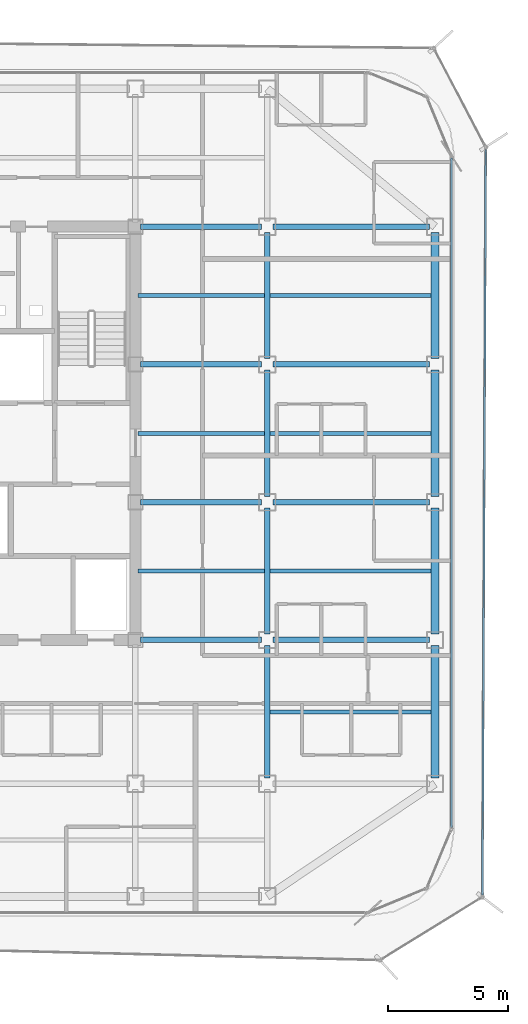
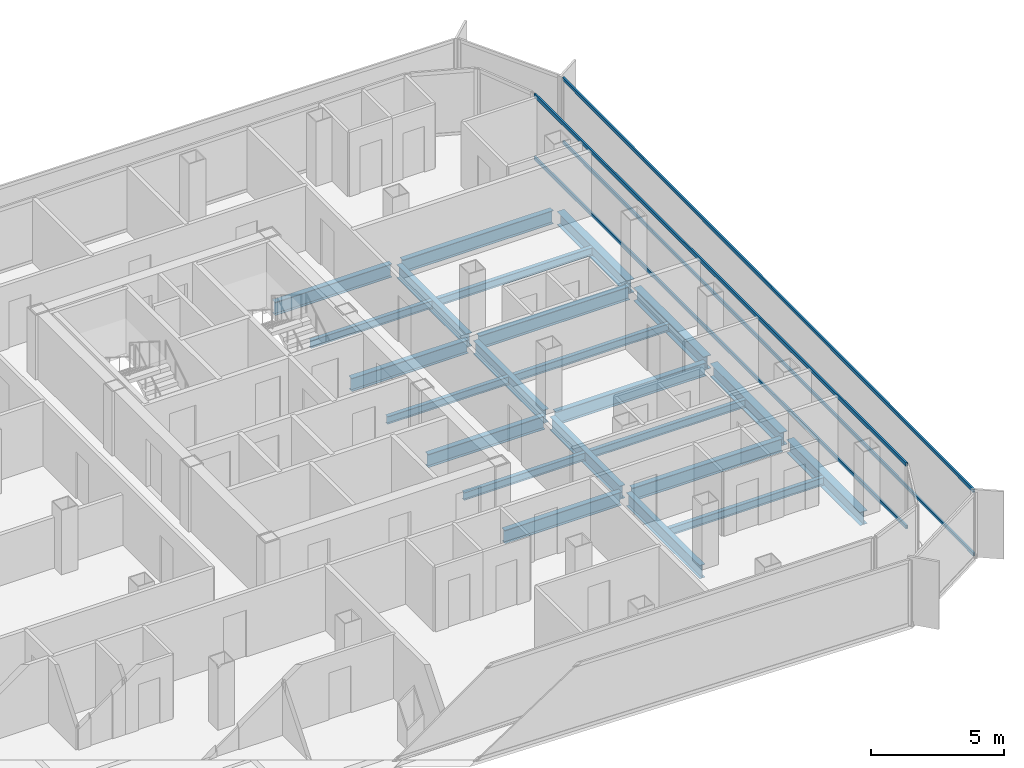
# One storey, part 5 of 15: 23 beams, 4 members, 2 elements without a shape of their own.
"""IFC4 building model written with IfcOpenShell, lengths in metres."""

from ifc_helpers import new_model, si_unit, direction, frame, origin, origin_2d, place, context, subcontext, project, spatial, hollow_rectangle, i_section, extrude, source, transform, mapped, material, layer, layer_set, material_profile, profile_set, type_object, element, aggregate, save


model = new_model("IFC4")

# Units and contexts
model_context = context("Model", 3, precision=1e-05, world=origin(), true_north=direction((0.0, 1.0)))
body_context = subcontext(model_context, "Body", "Model", "MODEL_VIEW")
ifc_project = project(units=[si_unit("LENGTHUNIT", "METRE"), si_unit("AREAUNIT", "SQUARE_METRE"), si_unit("VOLUMEUNIT", "CUBIC_METRE"), si_unit("PLANEANGLEUNIT", "RADIAN"), si_unit("MASSUNIT", "GRAM", prefix="KILO")], contexts=[model_context])

# Site, building, storey
site_placement = place(None, origin())
site = spatial("IfcSite", under=ifc_project, at=site_placement, CompositionType="ELEMENT")
building_placement = place(site_placement, origin())
building = spatial("IfcBuilding", under=site, at=building_placement, Name="Kolveth Station Tower", CompositionType="ELEMENT")
storey_placement = place(building_placement, frame((0.0, 0.0, 199.60009765625)))
storey = spatial("IfcBuildingStorey", under=building, at=storey_placement, Name="L56", CompositionType="ELEMENT", Elevation=199.60009765625)

# Beams
ifc_material_1 = material(Name="Steel S355", Category="steel")
ifc_material_profile_1 = material_profile(ifc_material_1, i_section(OverallWidth=0.323974609375, OverallDepth=0.611083984375, WebThickness=0.0126953125, FlangeThickness=0.01904296875, at=origin_2d()), Name="W610x155")
ifc_profile_set_1 = profile_set([ifc_material_profile_1], Name="Steel S355")
beam_type_1 = type_object("IfcBeamType", Name="Beam_SP2", PredefinedType="SPANDREL", material=ifc_profile_set_1)
shared_shape_1 = source(origin(), body_context, "Body", "SweptSolid", [
    extrude(i_section(OverallWidth=0.323974609375, OverallDepth=0.611083984375, WebThickness=0.0126953125, FlangeThickness=0.01904296875, at=origin_2d()), origin(), (0.0, 0.0, 1.0), 5.52001953125),
])
beam_1_placement = place(storey_placement, frame((41.0, 5.739990234375, -0.5556640625), z_axis=(0.0, 1.0, 0.0), x_axis=(-1.0, 0.0, 0.0)))
element("IfcBeam", 1, at=beam_1_placement, inside=storey, type_object=beam_type_1, Name="L56 Perimeter Spandrel BM-L56-PE-1", PredefinedType="SPANDREL", context=body_context, shape_type="MappedRepresentation", body=[
    mapped(shared_shape_1, transform((0.0, 0.0, 0.0), x_axis=(1.0, 0.0, 0.0), y_axis=(0.0, 1.0, 0.0), z_axis=(0.0, 0.0, 1.0), scale=1.0)),
])
shared_shape_2 = source(origin(), body_context, "Body", "SweptSolid", [
    extrude(i_section(OverallWidth=0.323974609375, OverallDepth=0.611083984375, WebThickness=0.0126953125, FlangeThickness=0.01904296875, at=origin_2d()), origin(), (0.0, 0.0, 1.0), 5.27001953125),
])
for number, where, z_axis, x_axis, name in (
    (2, (41.0, 11.739990234375, -0.5556640625), (0.0, 1.0, 0.0), (-1.0, 0.0, 0.0), "L56 Perimeter Spandrel BM-L56-PE-2"),
    (3, (41.0, 17.489990234375, -0.5556640625), (0.0, 1.0, 0.0), (-1.0, 0.0, 0.0), "L56 Perimeter Spandrel BM-L56-PE-3"),
    (4, (41.0, 23.239990234375, -0.5556640625), (0.0, 1.0, 0.0), (-1.0, 0.0, 0.0), "L56 Perimeter Spandrel BM-L56-PE-4"),
):
    element("IfcBeam", number, at=place(storey_placement, frame(where, z_axis=z_axis, x_axis=x_axis)), inside=storey, type_object=beam_type_1, Name=name, PredefinedType="SPANDREL", context=body_context, shape_type="MappedRepresentation", body=[
        mapped(shared_shape_2, transform((0.0, 0.0, 0.0), x_axis=(1.0, 0.0, 0.0), y_axis=(0.0, 1.0, 0.0), z_axis=(0.0, 0.0, 1.0), scale=1.0)),
    ])
ifc_material_profile_2 = material_profile(ifc_material_1, i_section(OverallWidth=0.22900390625, OverallDepth=0.612060546875, WebThickness=0.011962890625, FlangeThickness=0.01953125, at=origin_2d()), Name="W610x125")
ifc_profile_set_2 = profile_set([ifc_material_profile_2], Name="Steel S355")
beam_type_2 = type_object("IfcBeamType", Name="Beam_B5", PredefinedType="BEAM", material=ifc_profile_set_2)
shared_shape_3 = source(origin(), body_context, "Body", "SweptSolid", [
    extrude(i_section(OverallWidth=0.22900390625, OverallDepth=0.612060546875, WebThickness=0.011962890625, FlangeThickness=0.01953125, at=origin_2d()), origin(), (0.0, 0.0, 1.0), 6.52001953125),
])
for number, where, z_axis, x_axis, name in (
    (5, (34.239990234375, 11.5, -0.55615234375), (1.0, 0.0, 0.0), (0.0, 1.0, 0.0), "L56 Primary Girder BM-L56-GY115-6"),
    (6, (34.239990234375, 17.25, -0.55615234375), (1.0, 0.0, 0.0), (0.0, 1.0, 0.0), "L56 Primary Girder BM-L56-GY172-6"),
    (7, (34.239990234375, 23.0, -0.55615234375), (1.0, 0.0, 0.0), (0.0, 1.0, 0.0), "L56 Primary Girder BM-L56-GY230-6"),
    (8, (34.239990234375, 28.75, -0.55615234375), (1.0, 0.0, 0.0), (0.0, 1.0, 0.0), "L56 Primary Girder BM-L56-GY287-6"),
):
    element("IfcBeam", number, at=place(storey_placement, frame(where, z_axis=z_axis, x_axis=x_axis)), inside=storey, type_object=beam_type_2, Name=name, PredefinedType="BEAM", context=body_context, shape_type="MappedRepresentation", body=[
        mapped(shared_shape_3, transform((0.0, 0.0, 0.0), x_axis=(1.0, 0.0, 0.0), y_axis=(0.0, 1.0, 0.0), z_axis=(0.0, 0.0, 1.0), scale=1.0)),
    ])
shared_shape_4 = source(origin(), body_context, "Body", "SweptSolid", [
    extrude(i_section(OverallWidth=0.22900390625, OverallDepth=0.612060546875, WebThickness=0.011962890625, FlangeThickness=0.01953125, at=origin_2d()), origin(), (0.0, 0.0, 1.0), 5.06005859375),
])
for number, where, z_axis, x_axis, name in (
    (9, (28.699951171875, 11.5, -0.55615234375), (1.0, 0.0, 0.0), (0.0, 1.0, 0.0), "L56 Primary Girder BM-L56-GY115-5"),
    (10, (28.699951171875, 17.25, -0.55615234375), (1.0, 0.0, 0.0), (0.0, 1.0, 0.0), "L56 Primary Girder BM-L56-GY172-5"),
    (11, (28.699951171875, 23.0, -0.55615234375), (1.0, 0.0, 0.0), (0.0, 1.0, 0.0), "L56 Primary Girder BM-L56-GY230-5"),
    (12, (28.699951171875, 28.75, -0.55615234375), (1.0, 0.0, 0.0), (0.0, 1.0, 0.0), "L56 Primary Girder BM-L56-GY287-5"),
):
    element("IfcBeam", number, at=place(storey_placement, frame(where, z_axis=z_axis, x_axis=x_axis)), inside=storey, type_object=beam_type_2, Name=name, PredefinedType="BEAM", context=body_context, shape_type="MappedRepresentation", body=[
        mapped(shared_shape_4, transform((0.0, 0.0, 0.0), x_axis=(1.0, 0.0, 0.0), y_axis=(0.0, 1.0, 0.0), z_axis=(0.0, 0.0, 1.0), scale=1.0)),
    ])
shared_shape_5 = source(origin(), body_context, "Body", "SweptSolid", [
    extrude(i_section(OverallWidth=0.22900390625, OverallDepth=0.612060546875, WebThickness=0.011962890625, FlangeThickness=0.01953125, at=origin_2d()), origin(), (0.0, 0.0, 1.0), 5.52001953125),
])
beam_2_placement = place(storey_placement, frame((34.0, 5.739990234375, -0.55615234375), z_axis=(0.0, 1.0, 0.0), x_axis=(-1.0, 0.0, 0.0)))
element("IfcBeam", 13, at=beam_2_placement, inside=storey, type_object=beam_type_2, Name="L56 Primary Girder BM-L56-GX340-2", PredefinedType="BEAM", context=body_context, shape_type="MappedRepresentation", body=[
    mapped(shared_shape_5, transform((0.0, 0.0, 0.0), x_axis=(1.0, 0.0, 0.0), y_axis=(0.0, 1.0, 0.0), z_axis=(0.0, 0.0, 1.0), scale=1.0)),
])
shared_shape_6 = source(origin(), body_context, "Body", "SweptSolid", [
    extrude(i_section(OverallWidth=0.22900390625, OverallDepth=0.612060546875, WebThickness=0.011962890625, FlangeThickness=0.01953125, at=origin_2d()), origin(), (0.0, 0.0, 1.0), 5.27001953125),
])
for number, where, z_axis, x_axis, name in (
    (14, (34.0, 11.739990234375, -0.55615234375), (0.0, 1.0, 0.0), (-1.0, 0.0, 0.0), "L56 Primary Girder BM-L56-GX340-3"),
    (15, (34.0, 17.489990234375, -0.55615234375), (0.0, 1.0, 0.0), (-1.0, 0.0, 0.0), "L56 Primary Girder BM-L56-GX340-4"),
    (16, (34.0, 23.239990234375, -0.55615234375), (0.0, 1.0, 0.0), (-1.0, 0.0, 0.0), "L56 Primary Girder BM-L56-GX340-5"),
):
    element("IfcBeam", number, at=place(storey_placement, frame(where, z_axis=z_axis, x_axis=x_axis)), inside=storey, type_object=beam_type_2, Name=name, PredefinedType="BEAM", context=body_context, shape_type="MappedRepresentation", body=[
        mapped(shared_shape_6, transform((0.0, 0.0, 0.0), x_axis=(1.0, 0.0, 0.0), y_axis=(0.0, 1.0, 0.0), z_axis=(0.0, 0.0, 1.0), scale=1.0)),
    ])
ifc_material_profile_3 = material_profile(ifc_material_1, i_section(OverallWidth=0.1708984375, OverallDepth=0.35205078125, WebThickness=0.0068359375, FlangeThickness=0.009765625, at=origin_2d()), Name="W360x44")
ifc_profile_set_3 = profile_set([ifc_material_profile_3], Name="Steel S355")
beam_type_3 = type_object("IfcBeamType", Name="Beam_J2", PredefinedType="JOIST", material=ifc_profile_set_3)
shared_shape_7 = source(origin(), body_context, "Body", "SweptSolid", [
    extrude(i_section(OverallWidth=0.1708984375, OverallDepth=0.35205078125, WebThickness=0.0068359375, FlangeThickness=0.009765625, at=origin_2d()), origin(), (0.0, 0.0, 1.0), 5.27490234375),
])
for number, where, z_axis, x_axis, name in (
    (17, (28.612548828125, 14.375, -0.426025390625), (1.0, 0.0, 0.0), (0.0, 1.0, 0.0), "L56 Secondary Joist JST-L56-5-3"),
    (18, (28.612548828125, 20.125, -0.426025390625), (1.0, 0.0, 0.0), (0.0, 1.0, 0.0), "L56 Secondary Joist JST-L56-5-4"),
    (19, (28.612548828125, 25.875, -0.426025390625), (1.0, 0.0, 0.0), (0.0, 1.0, 0.0), "L56 Secondary Joist JST-L56-5-5"),
):
    element("IfcBeam", number, at=place(storey_placement, frame(where, z_axis=z_axis, x_axis=x_axis)), inside=storey, type_object=beam_type_3, Name=name, PredefinedType="JOIST", context=body_context, shape_type="MappedRepresentation", body=[
        mapped(shared_shape_7, transform((0.0, 0.0, 0.0), x_axis=(1.0, 0.0, 0.0), y_axis=(0.0, 1.0, 0.0), z_axis=(0.0, 0.0, 1.0), scale=1.0)),
    ])
shared_shape_8 = source(origin(), body_context, "Body", "SweptSolid", [
    extrude(i_section(OverallWidth=0.1708984375, OverallDepth=0.35205078125, WebThickness=0.0068359375, FlangeThickness=0.009765625, at=origin_2d()), origin(), (0.0, 0.0, 1.0), 6.7275390625),
])
for number, where, z_axis, x_axis, name in (
    (20, (34.112548828125, 8.5, -0.426025390625), (1.0, 0.0, 0.0), (0.0, 1.0, 0.0), "L56 Secondary Joist JST-L56-6-2"),
    (21, (34.112548828125, 14.375, -0.426025390625), (1.0, 0.0, 0.0), (0.0, 1.0, 0.0), "L56 Secondary Joist JST-L56-6-3"),
    (22, (34.112548828125, 20.125, -0.426025390625), (1.0, 0.0, 0.0), (0.0, 1.0, 0.0), "L56 Secondary Joist JST-L56-6-4"),
    (23, (34.112548828125, 25.875, -0.426025390625), (1.0, 0.0, 0.0), (0.0, 1.0, 0.0), "L56 Secondary Joist JST-L56-6-5"),
):
    element("IfcBeam", number, at=place(storey_placement, frame(where, z_axis=z_axis, x_axis=x_axis)), inside=storey, type_object=beam_type_3, Name=name, PredefinedType="JOIST", context=body_context, shape_type="MappedRepresentation", body=[
        mapped(shared_shape_8, transform((0.0, 0.0, 0.0), x_axis=(1.0, 0.0, 0.0), y_axis=(0.0, 1.0, 0.0), z_axis=(0.0, 0.0, 1.0), scale=1.0)),
    ])

# Curtain wall, members
ifc_material_2 = material(Name="Aluminium 6063-T6 and low-E dark glass", Category="aluminium")
ifc_layer_1 = layer(ifc_material_2, 0.18994140625)
ifc_layer_set_1 = layer_set([ifc_layer_1], Name="Aluminium 6063-T6 and low-E dark glass")
curtain_wall_type_1 = type_object("IfcCurtainWallType", Name="CurtainWall_CW-Z2", PredefinedType="NOTDEFINED", material=ifc_layer_set_1)
curtain_wall_1_placement = place(storey_placement, origin())
curtain_wall_1 = element("IfcCurtainWall", 24, at=curtain_wall_1_placement, inside=storey, type_object=curtain_wall_type_1, Name="L56 Inner Thermal Curtain Wall 3", PredefinedType="NOTDEFINED")
ifc_material_3 = material(Name="Black anodized aluminium 6063-T6", Category="aluminium")
ifc_material_profile_4 = material_profile(ifc_material_3, hollow_rectangle(XDim=0.080078125, YDim=0.169921875, WallThickness=0.0048828125, at=origin_2d()), Name="ALU-80x170x5")
ifc_profile_set_4 = profile_set([ifc_material_profile_4], Name="Black anodized aluminium 6063-T6")
member_type_1 = type_object("IfcMemberType", Name="Transom_TR2", PredefinedType="USERDEFINED", material=ifc_profile_set_4)
shared_shape_9 = source(origin(), body_context, "Body", "SweptSolid", [
    extrude(hollow_rectangle(XDim=0.080078125, YDim=0.169921875, WallThickness=0.0048828125, at=origin_2d()), origin(), (0.0, 0.0, 1.0), 27.940185546875),
])
member_1_placement = place(storey_placement, frame((41.679931640625, 3.679931640625, 0.039794921875), z_axis=(0.0, 1.0, 0.0), x_axis=(-1.0, 0.0, 0.0)))
member_1 = element("IfcMember", 25, at=member_1_placement, type_object=member_type_1, Name="CW-Z2 transom 1.1", ObjectType="TRANSOM", PredefinedType="USERDEFINED", context=body_context, shape_type="MappedRepresentation", body=[
    mapped(shared_shape_9, transform((0.0, 0.0, 0.0), x_axis=(1.0, 0.0, 0.0), y_axis=(0.0, 1.0, 0.0), z_axis=(0.0, 0.0, 1.0), scale=1.0)),
])
member_2_placement = place(storey_placement, frame((41.679931640625, 3.679931640625, 2.909912109375), z_axis=(0.0, 1.0, 0.0), x_axis=(-1.0, 0.0, 0.0)))
member_2 = element("IfcMember", 26, at=member_2_placement, type_object=member_type_1, Name="CW-Z2 transom 1.2", ObjectType="TRANSOM", PredefinedType="USERDEFINED", context=body_context, shape_type="MappedRepresentation", body=[
    mapped(shared_shape_9, transform((0.0, 0.0, 0.0), x_axis=(1.0, 0.0, 0.0), y_axis=(0.0, 1.0, 0.0), z_axis=(0.0, 0.0, 1.0), scale=1.0)),
])
aggregate(curtain_wall_1, [member_1, member_2])

ifc_material_4 = material(Name="Black anodized aluminium 6063-T6 and dark solar glass", Category="aluminium")
ifc_layer_2 = layer(ifc_material_4, 0.159912109375)
ifc_layer_set_2 = layer_set([ifc_layer_2], Name="Black anodized aluminium 6063-T6 and dark solar glass")
curtain_wall_type_2 = type_object("IfcCurtainWallType", Name="OUTER SKIN CW-OS", PredefinedType="NOTDEFINED", material=ifc_layer_set_2)
curtain_wall_2_placement = place(storey_placement, origin())
curtain_wall_2 = element("IfcCurtainWall", 27, at=curtain_wall_2_placement, inside=storey, type_object=curtain_wall_type_2, Name="L56 Outer Ventilated Skin Curtain Wall 2", PredefinedType="NOTDEFINED")
ifc_material_profile_5 = material_profile(ifc_material_3, hollow_rectangle(XDim=0.080078125, YDim=0.14990234375, WallThickness=0.0048828125, at=origin_2d()), Name="ALU-80x150x5")
ifc_profile_set_5 = profile_set([ifc_material_profile_5], Name="Black anodized aluminium 6063-T6")
member_type_2 = type_object("IfcMemberType", Name="Transom_TR-OS", PredefinedType="USERDEFINED", material=ifc_profile_set_5)
shared_shape_10 = source(origin(), body_context, "Body", "SweptSolid", [
    extrude(hollow_rectangle(XDim=0.080078125, YDim=0.14990234375, WallThickness=0.0048828125, at=origin_2d()), origin(), (0.0, 0.0, 1.0), 31.11474609375),
])
member_3_placement = place(storey_placement, frame((42.978515625, 0.864501953125, 0.039794921875), z_axis=(0.004519550529, 0.999989786779, 0.0), x_axis=(-0.999989786779, 0.004519550529, 0.0)))
member_3 = element("IfcMember", 28, at=member_3_placement, type_object=member_type_2, Name="CW-OS transom 1.1", ObjectType="TRANSOM", PredefinedType="USERDEFINED", context=body_context, shape_type="MappedRepresentation", body=[
    mapped(shared_shape_10, transform((0.0, 0.0, 0.0), x_axis=(1.0, 0.0, 0.0), y_axis=(0.0, 1.0, 0.0), z_axis=(0.0, 0.0, 1.0), scale=1.0)),
])
member_4_placement = place(storey_placement, frame((42.978515625, 0.864501953125, 2.949951171875), z_axis=(0.004519550529, 0.999989786779, 0.0), x_axis=(-0.999989786779, 0.004519550529, 0.0)))
member_4 = element("IfcMember", 29, at=member_4_placement, type_object=member_type_2, Name="CW-OS transom 1.2", ObjectType="TRANSOM", PredefinedType="USERDEFINED", context=body_context, shape_type="MappedRepresentation", body=[
    mapped(shared_shape_10, transform((0.0, 0.0, 0.0), x_axis=(1.0, 0.0, 0.0), y_axis=(0.0, 1.0, 0.0), z_axis=(0.0, 0.0, 1.0), scale=1.0)),
])
aggregate(curtain_wall_2, [member_3, member_4])

save(model, "model.ifc")
